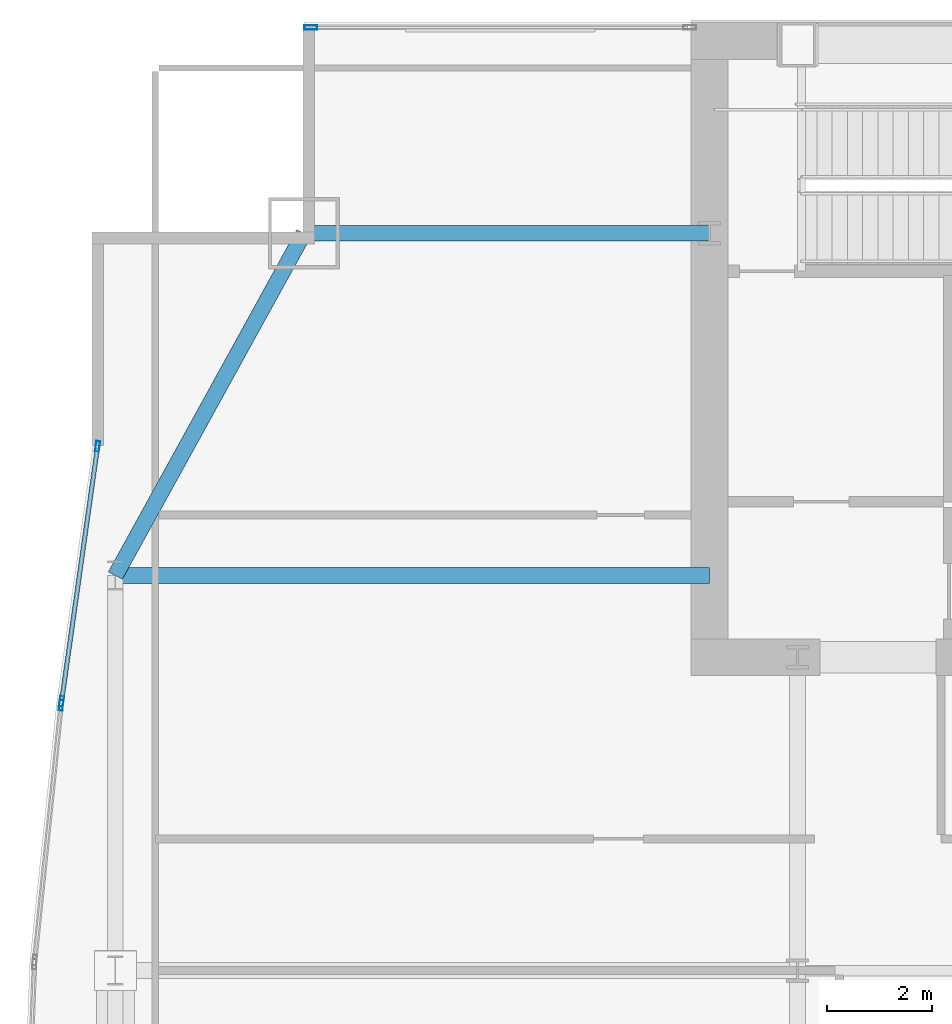
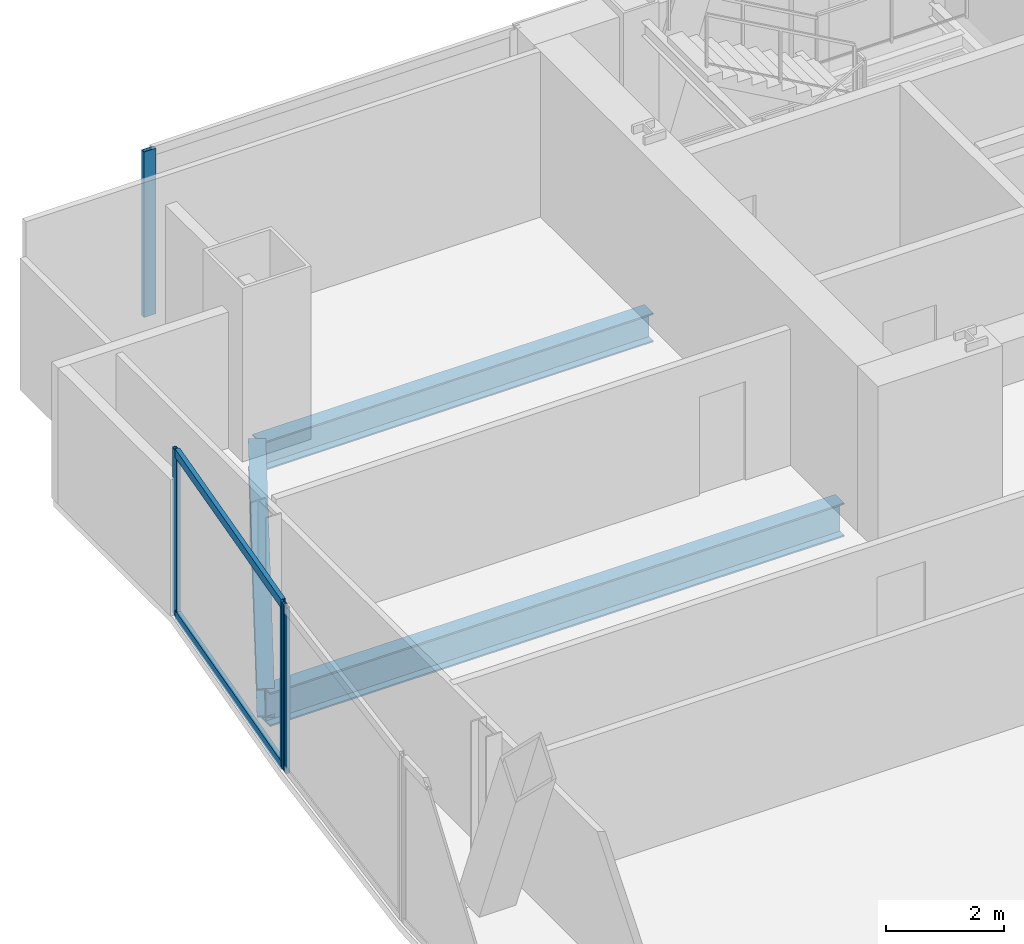
# One storey, part 17 of 30: 6 members, 3 beams, 3 elements without a shape of their own.
"""IFC4 building model written with IfcOpenShell, lengths in metres."""

from ifc_helpers import new_model, si_unit, direction, frame, origin, origin_2d, place, context, subcontext, project, spatial, hollow_rectangle, i_section, extrude, material, material_profile, profile_set, type_object, element, aggregate, save


model = new_model("IFC4")

# Units and contexts
model_context = context("Model", 3, precision=1e-05, world=origin(), true_north=direction((0.0, 1.0)))
body_context = subcontext(model_context, "Body", "Model", "MODEL_VIEW")
ifc_project = project(units=[si_unit("LENGTHUNIT", "METRE"), si_unit("AREAUNIT", "SQUARE_METRE"), si_unit("VOLUMEUNIT", "CUBIC_METRE"), si_unit("PLANEANGLEUNIT", "RADIAN"), si_unit("MASSUNIT", "GRAM", prefix="KILO")], contexts=[model_context])

# Site, building, storey
site_placement = place(None, origin())
site = spatial("IfcSite", under=ifc_project, at=site_placement, CompositionType="ELEMENT")
building_placement = place(site_placement, origin())
building = spatial("IfcBuilding", under=site, at=building_placement, Name="Khoronbel Lancet Exchange", CompositionType="ELEMENT")
storey_placement = place(building_placement, frame((0.0, 0.0, 147.0)))
storey = spatial("IfcBuildingStorey", under=building, at=storey_placement, Name="L36", CompositionType="ELEMENT", Elevation=147.0)

# Beams
ifc_material_1 = material(Name="Steel S355", Category="steel")
ifc_material_profile_1 = material_profile(ifc_material_1, i_section(OverallWidth=0.300048828125, OverallDepth=0.699951171875, WebThickness=0.01708984375, FlangeThickness=0.031982421875, at=origin_2d()), Name="HEB 700")
ifc_profile_set_1 = profile_set([ifc_material_profile_1], Name="Steel S355")
beam_type_1 = type_object("IfcBeamType", Name="BM-BG3", PredefinedType="BEAM", material=ifc_profile_set_1)
beam_1_placement = place(storey_placement, frame((5.27001953125, 43.199951171875, -0.510009765625), z_axis=(1.0, 0.0, 0.0), x_axis=(0.0, 1.0, 0.0)))
element("IfcBeam", 1, at=beam_1_placement, inside=storey, type_object=beam_type_1, Name="Level L36 west lens tie girder LG3W", PredefinedType="BEAM", context=body_context, shape_type="SweptSolid", body=[
    extrude(i_section(OverallWidth=0.300048828125, OverallDepth=0.699951171875, WebThickness=0.01708984375, FlangeThickness=0.031982421875, at=origin_2d()), origin(), (0.0, 0.0, 1.0), 11.280029296875),
])
ifc_material_profile_2 = material_profile(ifc_material_1, i_section(OverallWidth=0.300048828125, OverallDepth=0.60009765625, WebThickness=0.015380859375, FlangeThickness=0.030029296875, at=origin_2d()), Name="HEB 600")
ifc_profile_set_2 = profile_set([ifc_material_profile_2], Name="Steel S355")
beam_type_2 = type_object("IfcBeamType", Name="BM-BSP2", PredefinedType="SPANDREL", material=ifc_profile_set_2)
beam_2_placement = place(storey_placement, frame((8.85009765625, 49.699951171875, -0.4599609375), z_axis=(-0.482444051088, -0.875926787791, 0.0), x_axis=(0.875926787791, -0.482444051088, 0.0)))
element("IfcBeam", 2, at=beam_2_placement, inside=storey, type_object=beam_type_2, Name="Level L36 perimeter spandrel beam SP16", PredefinedType="SPANDREL", context=body_context, shape_type="SweptSolid", body=[
    extrude(i_section(OverallWidth=0.300048828125, OverallDepth=0.60009765625, WebThickness=0.015380859375, FlangeThickness=0.030029296875, at=origin_2d()), origin(), (0.0, 0.0, 1.0), 7.420654296875),
])
beam_3_placement = place(storey_placement, frame((8.85009765625, 49.699951171875, -0.4599609375), z_axis=(1.0, 0.0, 0.0), x_axis=(0.0, 1.0, 0.0)))
element("IfcBeam", 3, at=beam_3_placement, inside=storey, type_object=beam_type_2, Name="Level L36 north flank tie spandrel SP22", PredefinedType="SPANDREL", context=body_context, shape_type="SweptSolid", body=[
    extrude(i_section(OverallWidth=0.300048828125, OverallDepth=0.60009765625, WebThickness=0.015380859375, FlangeThickness=0.030029296875, at=origin_2d()), origin(), (0.0, 0.0, 1.0), 7.699951171875),
])

# Curtain wall, member
ifc_material_2 = material(Name="Low-E Solar Control Insulating Glass", Category="glass")
curtain_wall_type_1 = type_object("IfcCurtainWallType", Name="CW-3", PredefinedType="NOTDEFINED", material=ifc_material_2)
curtain_wall_1_placement = place(storey_placement, origin())
curtain_wall_1 = element("IfcCurtainWall", 4, at=curtain_wall_1_placement, inside=storey, type_object=curtain_wall_type_1, Name="Unitised curtain wall CW-L36-NWFLK", PredefinedType="NOTDEFINED")
ifc_material_3 = material(Name="Bronze-Anodised Aluminium 6063-T6", Category="aluminium")
ifc_material_profile_3 = material_profile(ifc_material_3, hollow_rectangle(XDim=0.0849609375, YDim=0.239990234375, WallThickness=0.006103515625, at=origin_2d()), Name="ALU MULLION 85x240")
ifc_profile_set_3 = profile_set([ifc_material_profile_3], Name="Bronze-Anodised Aluminium 6063-T6")
member_type_1 = type_object("IfcMemberType", Name="MEM-CWM1", PredefinedType="MULLION", material=ifc_profile_set_3)
member_1_placement = place(storey_placement, frame((8.982421875, 53.610107421875, 0.0), z_axis=(0.0, 0.0, 1.0), x_axis=(0.0, -1.0, 0.0)))
member_1 = element("IfcMember", 5, at=member_1_placement, type_object=member_type_1, Name="CW3 mullion 2", PredefinedType="MULLION", context=body_context, shape_type="SweptSolid", body=[
    extrude(hollow_rectangle(XDim=0.0849609375, YDim=0.239990234375, WallThickness=0.006103515625, at=origin_2d()), origin(), (0.0, 0.0, 1.0), 3.43994140625),
])
aggregate(curtain_wall_1, [member_1])

curtain_wall_type_2 = type_object("IfcCurtainWallType", Name="CW-4", PredefinedType="NOTDEFINED", material=ifc_material_2)
curtain_wall_2_placement = place(storey_placement, origin())
curtain_wall_2 = element("IfcCurtainWall", 6, at=curtain_wall_2_placement, inside=storey, type_object=curtain_wall_type_2, Name="Unitised curtain wall CW-L36-E08", PredefinedType="NOTDEFINED")
ifc_material_profile_4 = material_profile(ifc_material_3, hollow_rectangle(XDim=0.074951171875, YDim=0.199951171875, WallThickness=0.0048828125, at=origin_2d()), Name="ALU MULLION 75x200")
ifc_profile_set_4 = profile_set([ifc_material_profile_4], Name="Bronze-Anodised Aluminium 6063-T6")
member_type_2 = type_object("IfcMemberType", Name="MEM-CWM2", PredefinedType="MULLION", material=ifc_profile_set_4)
member_2_placement = place(storey_placement, frame((4.240478515625, 40.735107421875, 0.0), z_axis=(0.0, 0.0, 1.0), x_axis=(-0.994688434151, 0.10293162277, 0.0)))
member_2 = element("IfcMember", 7, at=member_2_placement, type_object=member_type_2, Name="CW4 mullion 2", PredefinedType="MULLION", context=body_context, shape_type="SweptSolid", body=[
    extrude(hollow_rectangle(XDim=0.074951171875, YDim=0.199951171875, WallThickness=0.0048828125, at=origin_2d()), origin(), (0.0, 0.0, 1.0), 3.43994140625),
])
aggregate(curtain_wall_2, [member_2])

# Curtain wall, members
curtain_wall_3_placement = place(storey_placement, origin())
curtain_wall_3 = element("IfcCurtainWall", 8, at=curtain_wall_3_placement, inside=storey, type_object=curtain_wall_type_2, Name="Unitised curtain wall CW-L36-E09", PredefinedType="NOTDEFINED")
member_3_placement = place(storey_placement, frame((4.249755859375, 40.8095703125, 0.0), z_axis=(0.0, 0.0, 1.0), x_axis=(-0.990158054699, 0.139953659169, 0.0)))
member_3 = element("IfcMember", 9, at=member_3_placement, type_object=member_type_2, Name="CW4 mullion 1", PredefinedType="MULLION", context=body_context, shape_type="SweptSolid", body=[
    extrude(hollow_rectangle(XDim=0.074951171875, YDim=0.199951171875, WallThickness=0.0048828125, at=origin_2d()), origin(), (0.0, 0.0, 1.0), 3.43994140625),
])
member_4_placement = place(storey_placement, frame((4.934814453125, 45.656494140625, 0.0), z_axis=(0.0, 0.0, 1.0), x_axis=(-0.990158054699, 0.139953659169, 0.0)))
member_4 = element("IfcMember", 10, at=member_4_placement, type_object=member_type_2, Name="CW4 mullion 2", PredefinedType="MULLION", context=body_context, shape_type="SweptSolid", body=[
    extrude(hollow_rectangle(XDim=0.074951171875, YDim=0.199951171875, WallThickness=0.0048828125, at=origin_2d()), origin(), (0.0, 0.0, 1.0), 3.43994140625),
])
ifc_material_profile_5 = material_profile(ifc_material_3, hollow_rectangle(XDim=0.0849609375, YDim=0.179931640625, WallThickness=0.0048828125, at=origin_2d()), Name="ALU TRANSOM 85x180")
ifc_profile_set_5 = profile_set([ifc_material_profile_5], Name="Bronze-Anodised Aluminium 6063-T6")
member_type_3 = type_object("IfcMemberType", Name="MEM-CWT1", PredefinedType="USERDEFINED", material=ifc_profile_set_5)
member_5_placement = place(storey_placement, frame((4.2548828125, 40.8466796875, 0.04248046875), z_axis=(0.139946267922, 0.990159099385, 0.0), x_axis=(-0.990159099385, 0.139946267922, 0.0)))
member_5 = element("IfcMember", 11, at=member_5_placement, type_object=member_type_3, Name="CW4 transom 1.1", ObjectType="TRANSOM", PredefinedType="USERDEFINED", context=body_context, shape_type="SweptSolid", body=[
    extrude(hollow_rectangle(XDim=0.0849609375, YDim=0.179931640625, WallThickness=0.0048828125, at=origin_2d()), origin(), (0.0, 0.0, 1.0), 4.820068359375),
])
member_6_placement = place(storey_placement, frame((4.2548828125, 40.8466796875, 3.3974609375), z_axis=(0.139946267922, 0.990159099385, 0.0), x_axis=(-0.990159099385, 0.139946267922, 0.0)))
member_6 = element("IfcMember", 12, at=member_6_placement, type_object=member_type_3, Name="CW4 transom 1.2", ObjectType="TRANSOM", PredefinedType="USERDEFINED", context=body_context, shape_type="SweptSolid", body=[
    extrude(hollow_rectangle(XDim=0.0849609375, YDim=0.179931640625, WallThickness=0.0048828125, at=origin_2d()), origin(), (0.0, 0.0, 1.0), 4.820068359375),
])
aggregate(curtain_wall_3, [member_3, member_4, member_5, member_6])

save(model, "model.ifc")
